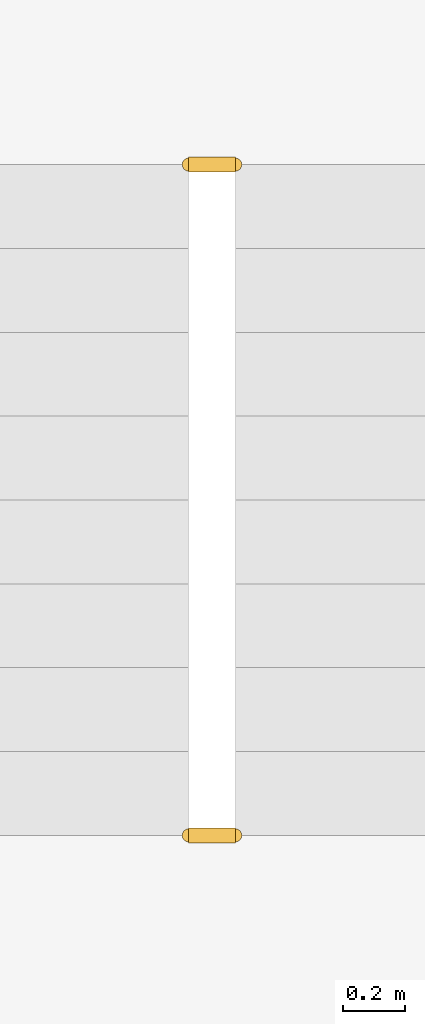
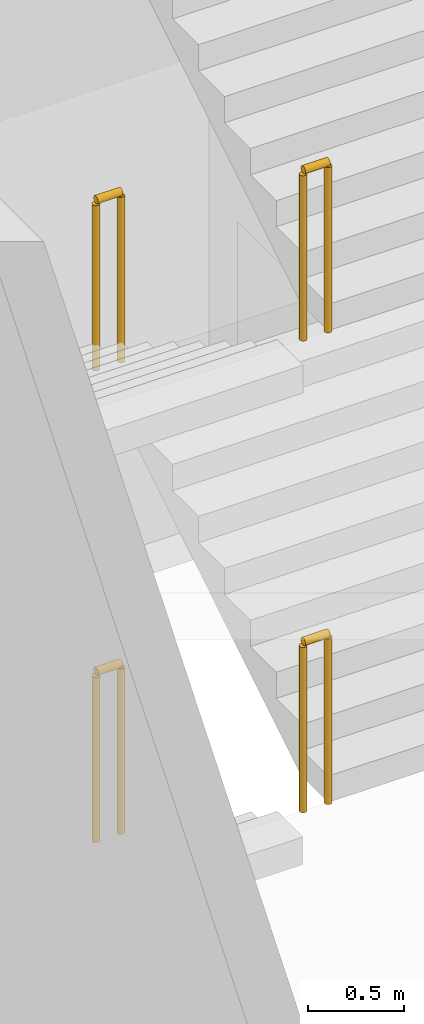
# One storey, part 27 of 28: 4 railings.
"""IFC4 building model written with IfcOpenShell, lengths in metres."""

from ifc_helpers import new_model, si_unit, direction, frame, origin, origin_2d, place, context, subcontext, project, spatial, circle, extrude, material, type_object, element, save


model = new_model("IFC4")

# Units and contexts
model_context = context("Model", 3, precision=1e-05, world=origin(), true_north=direction((0.0, 1.0)))
body_context = subcontext(model_context, "Body", "Model", "MODEL_VIEW")
ifc_project = project(units=[si_unit("LENGTHUNIT", "METRE"), si_unit("AREAUNIT", "SQUARE_METRE"), si_unit("VOLUMEUNIT", "CUBIC_METRE"), si_unit("PLANEANGLEUNIT", "RADIAN"), si_unit("MASSUNIT", "GRAM", prefix="KILO")], contexts=[model_context])

# Site, building, storey
site_placement = place(None, origin())
site = spatial("IfcSite", under=ifc_project, at=site_placement, CompositionType="ELEMENT")
building_placement = place(site_placement, origin())
building = spatial("IfcBuilding", under=site, at=building_placement, Name="Isbrekke Arena Tower", CompositionType="ELEMENT")
storey_placement = place(building_placement, origin())
storey = spatial("IfcBuildingStorey", under=building, at=storey_placement, Name="L00", CompositionType="ELEMENT", Elevation=0.0)

# Railings
ifc_material = material(Name="Steel stair guard, vertical bars, steel handrail", Category="steel")
railing_type = type_object("IfcRailingType", Name="GR3 STAIR WELL GUARD 1100", PredefinedType="GUARDRAIL", material=ifc_material)
for number, where, name in (
    (1, (45.925048828125, 35.675048828125, 0.0), "GR3 stair well guard P1 L00"),
    (2, (45.925048828125, 33.514892578125, 1.5), "GR3 stair well guard P1 L00"),
    (3, (45.925048828125, 35.675048828125, 3.0), "GR3 stair well guard P1 L00"),
    (4, (45.925048828125, 33.514892578125, 4.5), "GR3 stair well guard P1 L00"),
):
    element("IfcRailing", number, at=place(storey_placement, frame(where)), inside=storey, type_object=railing_type, Name=name, PredefinedType="GUARDRAIL", context=body_context, shape_type="SweptSolid", body=[
        extrude(circle(Radius=0.02392578125, at=origin_2d()), frame((0.0, 0.0, 1.076171875), z_axis=(1.0, 0.0, 0.0), x_axis=(0.0, 1.0, 0.0)), (0.0, 0.0, 1.0), 0.14990234375),
        extrude(circle(Radius=0.02099609375, at=origin_2d()), origin(), (0.0, 0.0, 1.0), 1.052001953125),
        extrude(circle(Radius=0.02099609375, at=origin_2d()), frame((0.14990234375, 0.0, 0.0)), (0.0, 0.0, 1.0), 1.052001953125),
    ])

save(model, "model.ifc")
